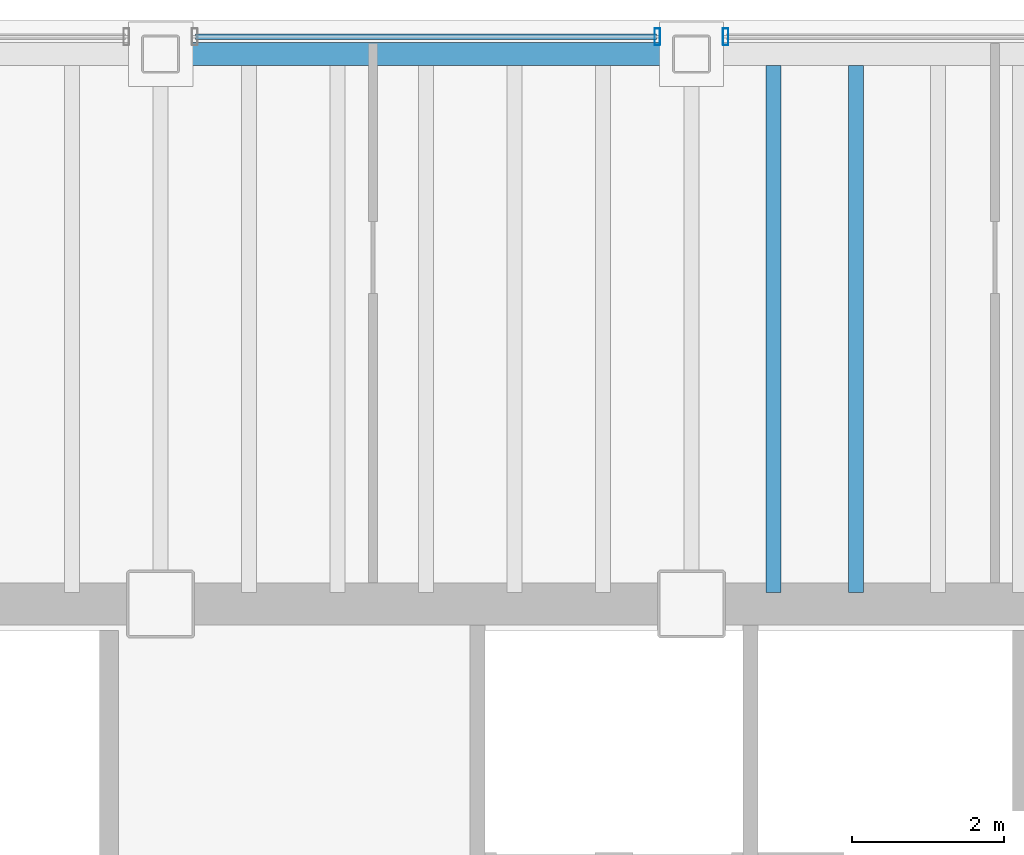
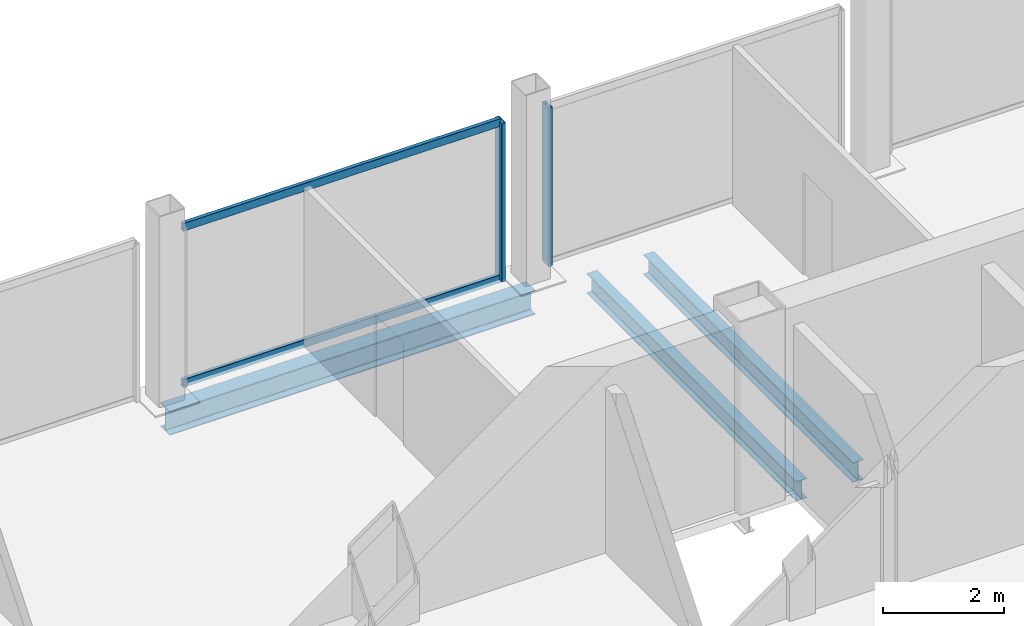
# One storey, part 10 of 19: 4 members, 3 beams, 2 elements without a shape of their own.
"""IFC4 building model written with IfcOpenShell, lengths in metres."""

from ifc_helpers import new_model, si_unit, direction, frame, origin, origin_2d, place, context, subcontext, project, spatial, hollow_rectangle, i_section, extrude, material, material_profile, profile_set, type_object, element, aggregate, save


model = new_model("IFC4")

# Units and contexts
model_context = context("Model", 3, precision=1e-05, world=origin(), true_north=direction((0.0, 1.0)))
body_context = subcontext(model_context, "Body", "Model", "MODEL_VIEW")
ifc_project = project(units=[si_unit("LENGTHUNIT", "METRE"), si_unit("AREAUNIT", "SQUARE_METRE"), si_unit("VOLUMEUNIT", "CUBIC_METRE"), si_unit("PLANEANGLEUNIT", "RADIAN"), si_unit("MASSUNIT", "GRAM", prefix="KILO")], contexts=[model_context])

# Site, building, storey
site_placement = place(None, origin())
site = spatial("IfcSite", under=ifc_project, at=site_placement, CompositionType="ELEMENT")
building_placement = place(site_placement, origin())
building = spatial("IfcBuilding", under=site, at=building_placement, Name="Noeulbin Bourse Tower", CompositionType="ELEMENT")
storey_placement = place(building_placement, frame((0.0, 0.0, 146.10009765625)))
storey = spatial("IfcBuildingStorey", under=building, at=storey_placement, Name="L36", CompositionType="ELEMENT", Elevation=146.10009765625)

# Beams
ifc_material_1 = material(Name="Steel S355", Category="steel")
ifc_material_profile_1 = material_profile(ifc_material_1, i_section(OverallWidth=0.199951171875, OverallDepth=0.39990234375, WebThickness=0.008056640625, FlangeThickness=0.012939453125, FilletRadius=0.01611328125, at=origin_2d()), Name="H-400x200x8x13", Category="LoadBearing")
ifc_profile_set_1 = profile_set([ifc_material_profile_1], Name="Steel S355")
beam_type_1 = type_object("IfcBeamType", Name="BM-SEC-400", PredefinedType="BEAM", material=ifc_profile_set_1)
for number, where, z_axis, x_axis, name in (
    (1, (32.083251953125, 38.449951171875, -0.380126953125), (0.0, 1.0, 0.0), (-1.0, 0.0, 0.0), "Tower Composite Joist L36-42"),
    (2, (33.166748046875, 38.449951171875, -0.380126953125), (0.0, 1.0, 0.0), (-1.0, 0.0, 0.0), "Tower Composite Joist L36-45"),
):
    element("IfcBeam", number, at=place(storey_placement, frame(where, z_axis=z_axis, x_axis=x_axis)), inside=storey, type_object=beam_type_1, Name=name, PredefinedType="BEAM", context=body_context, shape_type="SweptSolid", body=[
        extrude(i_section(OverallWidth=0.199951171875, OverallDepth=0.39990234375, WebThickness=0.008056640625, FlangeThickness=0.012939453125, FilletRadius=0.01611328125, at=origin_2d()), origin(), (0.0, 0.0, 1.0), 6.949951171875),
    ])
ifc_material_profile_2 = material_profile(ifc_material_1, i_section(OverallWidth=0.300048828125, OverallDepth=0.488037109375, WebThickness=0.010986328125, FlangeThickness=0.01806640625, FilletRadius=0.02197265625, at=origin_2d()), Name="H-488x300x11x18", Category="LoadBearing")
ifc_profile_set_2 = profile_set([ifc_material_profile_2], Name="Steel S355")
beam_type_2 = type_object("IfcBeamType", Name="BM-SPN-488", PredefinedType="SPANDREL", material=ifc_profile_set_2)
beam_placement = place(storey_placement, frame((24.0, 45.550048828125, -0.424072265625), z_axis=(1.0, 0.0, 0.0), x_axis=(0.0, 1.0, 0.0)))
element("IfcBeam", 3, at=beam_placement, inside=storey, type_object=beam_type_2, Name="North Spandrel L36-2", PredefinedType="SPANDREL", context=body_context, shape_type="SweptSolid", body=[
    extrude(i_section(OverallWidth=0.300048828125, OverallDepth=0.488037109375, WebThickness=0.010986328125, FlangeThickness=0.01806640625, FilletRadius=0.02197265625, at=origin_2d()), origin(), (0.0, 0.0, 1.0), 7.0),
])

# Curtain wall, member
ifc_material_2 = material(Name="Dark Tinted Triple Glazing", Category="glass")
curtain_wall_type = type_object("IfcCurtainWallType", Name="CW-SYS-3", PredefinedType="NOTDEFINED", material=ifc_material_2)
curtain_wall_1_placement = place(storey_placement, origin())
curtain_wall_1 = element("IfcCurtainWall", 4, at=curtain_wall_1_placement, inside=storey, type_object=curtain_wall_type, Name="Unitised Curtain Wall CW-L36-N-S3", PredefinedType="NOTDEFINED")
ifc_material_3 = material(Name="Anodised Aluminium 6063-T6", Category="aluminium")
ifc_material_profile_3 = material_profile(ifc_material_3, hollow_rectangle(XDim=0.074951171875, YDim=0.219970703125, WallThickness=0.0048828125, InnerFilletRadius=0.00244140625, OuterFilletRadius=0.0048828125, at=origin_2d()), Name="ALU-MULL-75x220x5", Category="LoadBearing")
ifc_profile_set_3 = profile_set([ifc_material_profile_3], Name="Anodised Aluminium 6063-T6")
member_type_1 = type_object("IfcMemberType", Name="CW-SYS-3-MUL", PredefinedType="MULLION", material=ifc_profile_set_3)
member_1_placement = place(storey_placement, frame((30.550048828125, 45.780029296875, -0.02001953125), z_axis=(0.0, 0.0, 1.0), x_axis=(1.0, 0.0, 0.0)))
member_1 = element("IfcMember", 5, at=member_1_placement, type_object=member_type_1, Name="Curtain Wall Mullion CW-L36-N-S3-M01", PredefinedType="MULLION", context=body_context, shape_type="SweptSolid", body=[
    extrude(hollow_rectangle(XDim=0.074951171875, YDim=0.219970703125, WallThickness=0.0048828125, InnerFilletRadius=0.00244140625, OuterFilletRadius=0.0048828125, at=origin_2d()), origin(), (0.0, 0.0, 1.0), 3.219970703125),
])

curtain_wall_2_placement = place(storey_placement, origin())
curtain_wall_2 = element("IfcCurtainWall", 6, at=curtain_wall_2_placement, inside=storey, type_object=curtain_wall_type, Name="Unitised Curtain Wall CW-L36-N-S4", PredefinedType="NOTDEFINED")
member_2_placement = place(storey_placement, frame((31.449951171875, 45.780029296875, -0.02001953125), z_axis=(0.0, 0.0, 1.0), x_axis=(1.0, 0.0, 0.0)))
member_2 = element("IfcMember", 7, at=member_2_placement, type_object=member_type_1, Name="Curtain Wall Mullion CW-L36-N-S4-M00", PredefinedType="MULLION", context=body_context, shape_type="SweptSolid", body=[
    extrude(hollow_rectangle(XDim=0.074951171875, YDim=0.219970703125, WallThickness=0.0048828125, InnerFilletRadius=0.00244140625, OuterFilletRadius=0.0048828125, at=origin_2d()), origin(), (0.0, 0.0, 1.0), 3.219970703125),
])
aggregate(curtain_wall_2, [member_2])

# Member
ifc_material_profile_4 = material_profile(ifc_material_3, hollow_rectangle(XDim=0.074951171875, YDim=0.159912109375, WallThickness=0.0048828125, InnerFilletRadius=0.00244140625, OuterFilletRadius=0.0048828125, at=origin_2d()), Name="ALU-TRAN-75x160x5", Category="LoadBearing")
ifc_profile_set_4 = profile_set([ifc_material_profile_4], Name="Anodised Aluminium 6063-T6")
member_type_2 = type_object("IfcMemberType", Name="CW-SYS-3-TRN", PredefinedType="USERDEFINED", material=ifc_profile_set_4)
member_3_placement = place(storey_placement, frame((24.4599609375, 45.780029296875, 0.010009765625), z_axis=(1.0, 0.0, 0.0), x_axis=(0.0, 1.0, 0.0)))
member_3 = element("IfcMember", 8, at=member_3_placement, type_object=member_type_2, Name="Curtain Wall Transom CW-L36-N-S3-T00", ObjectType="TRANSOM", PredefinedType="USERDEFINED", context=body_context, shape_type="SweptSolid", body=[
    extrude(hollow_rectangle(XDim=0.074951171875, YDim=0.159912109375, WallThickness=0.0048828125, InnerFilletRadius=0.00244140625, OuterFilletRadius=0.0048828125, at=origin_2d()), origin(), (0.0, 0.0, 1.0), 6.080078125),
])

member_4_placement = place(storey_placement, frame((24.4599609375, 45.780029296875, 3.169921875), z_axis=(1.0, 0.0, 0.0), x_axis=(0.0, 1.0, 0.0)))
member_4 = element("IfcMember", 9, at=member_4_placement, type_object=member_type_2, Name="Curtain Wall Transom CW-L36-N-S3-T01", ObjectType="TRANSOM", PredefinedType="USERDEFINED", context=body_context, shape_type="SweptSolid", body=[
    extrude(hollow_rectangle(XDim=0.074951171875, YDim=0.159912109375, WallThickness=0.0048828125, InnerFilletRadius=0.00244140625, OuterFilletRadius=0.0048828125, at=origin_2d()), origin(), (0.0, 0.0, 1.0), 6.080078125),
])

aggregate(curtain_wall_1, [member_1, member_3, member_4])

save(model, "model.ifc")
